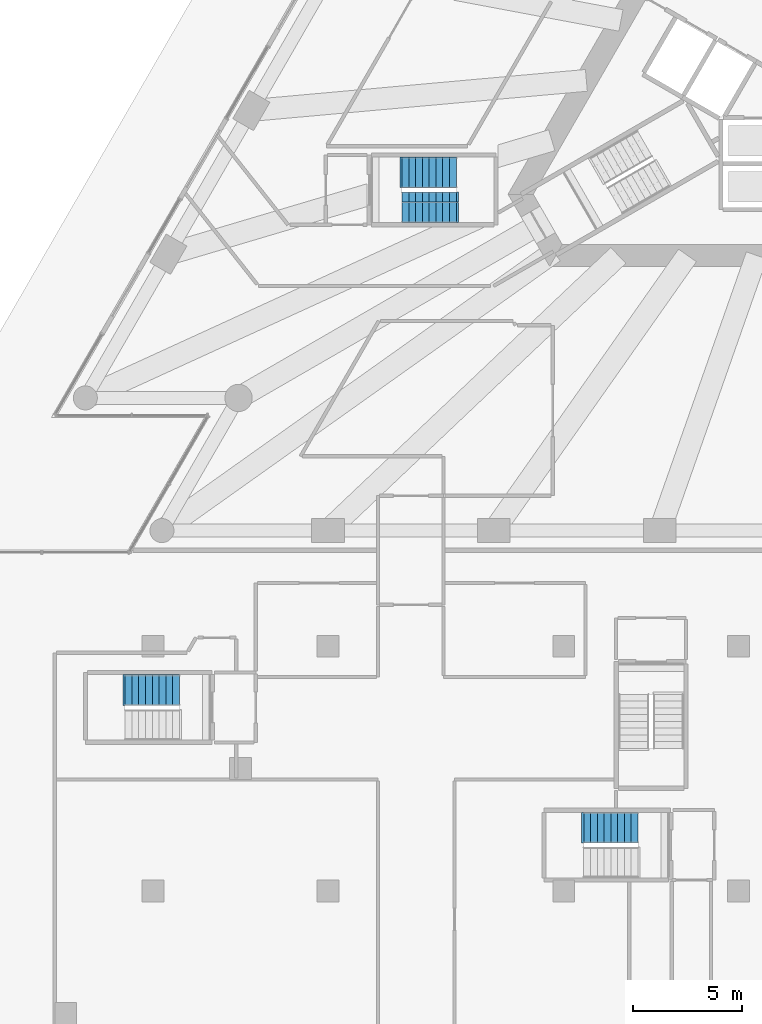
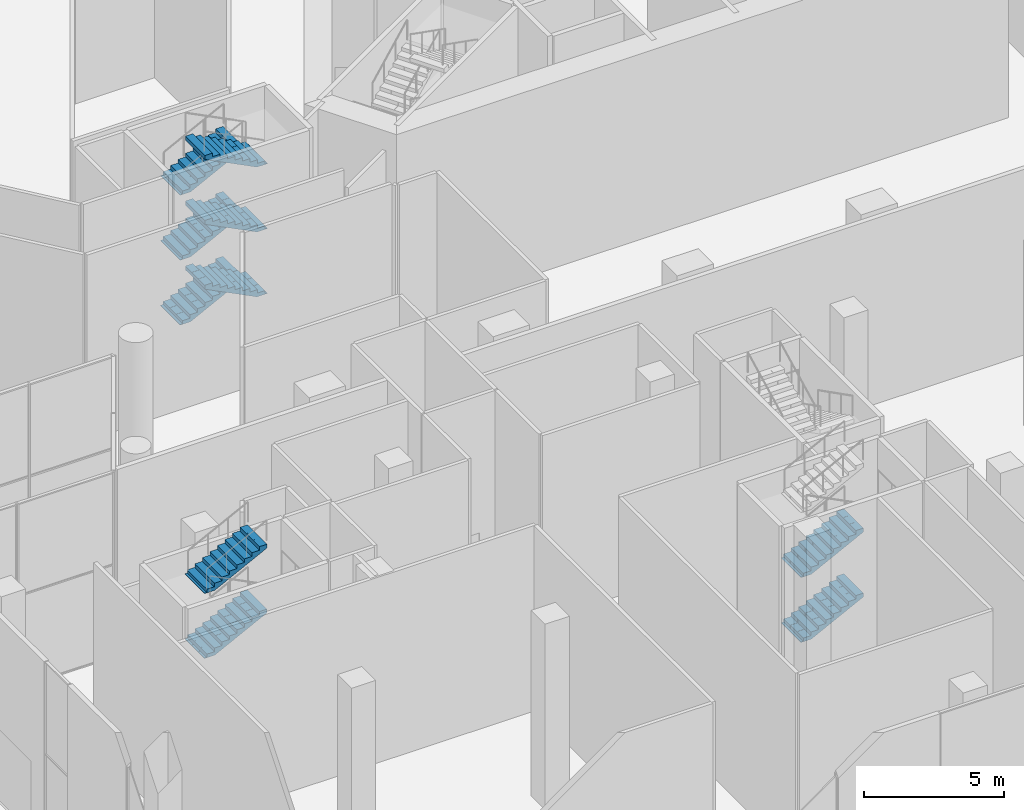
# One storey, part 29 of 41: 10 stair flights, 3 elements without a shape of their own.
"""IFC4 building model written with IfcOpenShell, lengths in metres."""

from ifc_helpers import new_model, si_unit, direction, frame, origin, place, context, subcontext, project, spatial, polyline, outline, extrude, material, type_object, element, aggregate, save


model = new_model("IFC4")

# Units and contexts
model_context = context("Model", 3, precision=1e-05, world=origin(), true_north=direction((0.0, 1.0)))
body_context = subcontext(model_context, "Body", "Model", "MODEL_VIEW")
ifc_project = project(units=[si_unit("LENGTHUNIT", "METRE"), si_unit("AREAUNIT", "SQUARE_METRE"), si_unit("VOLUMEUNIT", "CUBIC_METRE"), si_unit("PLANEANGLEUNIT", "RADIAN"), si_unit("MASSUNIT", "GRAM", prefix="KILO")], contexts=[model_context])

# Site, building, storey
site_placement = place(None, origin())
site = spatial("IfcSite", under=ifc_project, at=site_placement, CompositionType="ELEMENT")
building_placement = place(site_placement, origin())
building = spatial("IfcBuilding", under=site, at=building_placement, Name="Triada Interchange Tower", CompositionType="ELEMENT")
storey_placement = place(building_placement, origin())
storey = spatial("IfcBuildingStorey", under=building, at=storey_placement, Name="L00", CompositionType="ELEMENT", Elevation=0.0)

# Stair, stair flights
ifc_material = material(Name="Concrete C35/45", Category="concrete")
stair_type = type_object("IfcStairType", Name="HALF TURN STAIR 1400", PredefinedType="HALF_TURN_STAIR", material=ifc_material)
stair_1_placement = place(storey_placement, origin())
stair_1 = element("IfcStair", 1, at=stair_1_placement, inside=storey, type_object=stair_type, Name="Exit stair S00-4", PredefinedType="HALF_TURN_STAIR")
stair_flight_type = type_object("IfcStairFlightType", Name="STRAIGHT STAIR FLIGHT 1400", PredefinedType="STRAIGHT", material=ifc_material)
stair_flight_1_placement = place(storey_placement, frame((-11.080078125, -35.199951171875, 1.416748046875), z_axis=(0.0, 0.0, 1.0), x_axis=(1.0, 0.0, 0.0)))
stair_flight_1 = element("IfcStairFlight", 2, at=stair_flight_1_placement, type_object=stair_flight_type, Name="S00-4 flight 2", NumberOfRisers=9, NumberOfTreads=8, PredefinedType="STRAIGHT", RiserHeight=0.15741, TreadLength=0.31, context=body_context, shape_type="SweptSolid", body=[
    extrude(outline(polyline([(-0.10009765625, 0.0), (-0.10009765625, 0.02001953125), (0.0, 0.02001953125), (0.0, 0.157470703125), (0.31005859375, 0.157470703125), (0.31005859375, 0.31494140625), (0.6201171875, 0.31494140625), (0.6201171875, 0.47216796875), (0.929931640625, 0.47216796875), (0.929931640625, 0.629638671875), (1.239990234375, 0.629638671875), (1.239990234375, 0.787109375), (1.550048828125, 0.787109375), (1.550048828125, 0.944580078125), (1.860107421875, 0.944580078125), (1.860107421875, 1.101806640625), (2.169921875, 1.101806640625), (2.169921875, 1.25927734375), (2.47998046875, 1.25927734375), (2.48388671875, 1.25927734375), (2.48388671875, 1.416748046875), (2.48388671875, 1.091064453125), (0.3310546875, 0.0), (-0.10009765625, 0.0)])), frame((0.0, 0.699951171875, 0.0), z_axis=(0.0, -1.0, 0.0), x_axis=(1.0, 0.0, 0.0)), (0.0, 0.0, 1.0), 0.46533203125),
    extrude(outline(polyline([(-0.10009765625, 0.0), (-0.10009765625, 0.02001953125), (0.0, 0.02001953125), (0.0, 0.157470703125), (0.31005859375, 0.157470703125), (0.31005859375, 0.31494140625), (0.6201171875, 0.31494140625), (0.6201171875, 0.47216796875), (0.929931640625, 0.47216796875), (0.929931640625, 0.629638671875), (1.239990234375, 0.629638671875), (1.239990234375, 0.787109375), (1.550048828125, 0.787109375), (1.550048828125, 0.944580078125), (1.860107421875, 0.944580078125), (1.860107421875, 1.101806640625), (2.169921875, 1.101806640625), (2.169921875, 1.25927734375), (2.47998046875, 1.25927734375), (2.48388671875, 1.25927734375), (2.48388671875, 1.416748046875), (2.48388671875, 1.091064453125), (0.3310546875, 0.0), (-0.10009765625, 0.0)])), frame((0.0, 0.232666015625, 0.0), z_axis=(0.0, -1.0, 0.0), x_axis=(1.0, 0.0, 0.0)), (0.0, 0.0, 1.0), 0.46533203125),
    extrude(outline(polyline([(-0.10009765625, 0.0), (-0.10009765625, 0.02001953125), (0.0, 0.02001953125), (0.0, 0.157470703125), (0.31005859375, 0.157470703125), (0.31005859375, 0.31494140625), (0.6201171875, 0.31494140625), (0.6201171875, 0.47216796875), (0.929931640625, 0.47216796875), (0.929931640625, 0.629638671875), (1.239990234375, 0.629638671875), (1.239990234375, 0.787109375), (1.550048828125, 0.787109375), (1.550048828125, 0.944580078125), (1.860107421875, 0.944580078125), (1.860107421875, 1.101806640625), (2.169921875, 1.101806640625), (2.169921875, 1.25927734375), (2.47998046875, 1.25927734375), (2.48388671875, 1.25927734375), (2.48388671875, 1.416748046875), (2.48388671875, 1.091064453125), (0.3310546875, 0.0), (-0.10009765625, 0.0)])), frame((0.0, -0.234619140625, 0.0), z_axis=(0.0, -1.0, 0.0), x_axis=(1.0, 0.0, 0.0)), (0.0, 0.0, 1.0), 0.46533203125),
])
stair_flight_2_placement = place(storey_placement, frame((-11.080078125, -35.199951171875, 4.25), z_axis=(0.0, 0.0, 1.0), x_axis=(1.0, 0.0, 0.0)))
stair_flight_2 = element("IfcStairFlight", 3, at=stair_flight_2_placement, type_object=stair_flight_type, Name="S00-4 flight 4", NumberOfRisers=9, NumberOfTreads=8, PredefinedType="STRAIGHT", RiserHeight=0.15741, TreadLength=0.31, context=body_context, shape_type="SweptSolid", body=[
    extrude(outline(polyline([(-0.10009765625, 0.0), (-0.10009765625, 0.02001953125), (0.0, 0.02001953125), (0.0, 0.157470703125), (0.31005859375, 0.157470703125), (0.31005859375, 0.31494140625), (0.6201171875, 0.31494140625), (0.6201171875, 0.47216796875), (0.929931640625, 0.47216796875), (0.929931640625, 0.629638671875), (1.239990234375, 0.629638671875), (1.239990234375, 0.787109375), (1.550048828125, 0.787109375), (1.550048828125, 0.944580078125), (1.860107421875, 0.944580078125), (1.860107421875, 1.101806640625), (2.169921875, 1.101806640625), (2.169921875, 1.25927734375), (2.47998046875, 1.25927734375), (2.48388671875, 1.25927734375), (2.48388671875, 1.416748046875), (2.48388671875, 1.091064453125), (0.3310546875, 0.0), (-0.10009765625, 0.0)])), frame((0.0, 0.699951171875, 0.0), z_axis=(0.0, -1.0, 0.0), x_axis=(1.0, 0.0, 0.0)), (0.0, 0.0, 1.0), 0.46533203125),
    extrude(outline(polyline([(-0.10009765625, 0.0), (-0.10009765625, 0.02001953125), (0.0, 0.02001953125), (0.0, 0.157470703125), (0.31005859375, 0.157470703125), (0.31005859375, 0.31494140625), (0.6201171875, 0.31494140625), (0.6201171875, 0.47216796875), (0.929931640625, 0.47216796875), (0.929931640625, 0.629638671875), (1.239990234375, 0.629638671875), (1.239990234375, 0.787109375), (1.550048828125, 0.787109375), (1.550048828125, 0.944580078125), (1.860107421875, 0.944580078125), (1.860107421875, 1.101806640625), (2.169921875, 1.101806640625), (2.169921875, 1.25927734375), (2.47998046875, 1.25927734375), (2.48388671875, 1.25927734375), (2.48388671875, 1.416748046875), (2.48388671875, 1.091064453125), (0.3310546875, 0.0), (-0.10009765625, 0.0)])), frame((0.0, 0.232666015625, 0.0), z_axis=(0.0, -1.0, 0.0), x_axis=(1.0, 0.0, 0.0)), (0.0, 0.0, 1.0), 0.46533203125),
    extrude(outline(polyline([(-0.10009765625, 0.0), (-0.10009765625, 0.02001953125), (0.0, 0.02001953125), (0.0, 0.157470703125), (0.31005859375, 0.157470703125), (0.31005859375, 0.31494140625), (0.6201171875, 0.31494140625), (0.6201171875, 0.47216796875), (0.929931640625, 0.47216796875), (0.929931640625, 0.629638671875), (1.239990234375, 0.629638671875), (1.239990234375, 0.787109375), (1.550048828125, 0.787109375), (1.550048828125, 0.944580078125), (1.860107421875, 0.944580078125), (1.860107421875, 1.101806640625), (2.169921875, 1.101806640625), (2.169921875, 1.25927734375), (2.47998046875, 1.25927734375), (2.48388671875, 1.25927734375), (2.48388671875, 1.416748046875), (2.48388671875, 1.091064453125), (0.3310546875, 0.0), (-0.10009765625, 0.0)])), frame((0.0, -0.234619140625, 0.0), z_axis=(0.0, -1.0, 0.0), x_axis=(1.0, 0.0, 0.0)), (0.0, 0.0, 1.0), 0.46533203125),
])
aggregate(stair_1, [stair_flight_1, stair_flight_2])

stair_2_placement = place(storey_placement, origin())
stair_2 = element("IfcStair", 4, at=stair_2_placement, inside=storey, type_object=stair_type, Name="Exit stair S00-6", PredefinedType="HALF_TURN_STAIR")
stair_flight_3_placement = place(storey_placement, frame((-19.39990234375, -5.199951171875, 0.0), z_axis=(0.0, 0.0, 1.0), x_axis=(1.0, 0.0, 0.0)))
stair_flight_3 = element("IfcStairFlight", 5, at=stair_flight_3_placement, type_object=stair_flight_type, Name="S00-6 flight 1", NumberOfRisers=9, NumberOfTreads=8, PredefinedType="STRAIGHT", RiserHeight=0.15741, TreadLength=0.31, context=body_context, shape_type="SweptSolid", body=[
    extrude(outline(polyline([(-0.10009765625, 0.0), (-0.10009765625, 0.02001953125), (0.0, 0.02001953125), (0.0, 0.157470703125), (0.31005859375, 0.157470703125), (0.31005859375, 0.31494140625), (0.6201171875, 0.31494140625), (0.6201171875, 0.47216796875), (0.929931640625, 0.47216796875), (0.929931640625, 0.629638671875), (1.239990234375, 0.629638671875), (1.239990234375, 0.787109375), (1.550048828125, 0.787109375), (1.550048828125, 0.944580078125), (1.860107421875, 0.944580078125), (1.860107421875, 1.101806640625), (2.169921875, 1.101806640625), (2.169921875, 1.25927734375), (2.47998046875, 1.25927734375), (2.48388671875, 1.25927734375), (2.48388671875, 1.416748046875), (2.48388671875, 1.091064453125), (0.3310546875, 0.0), (-0.10009765625, 0.0)])), frame((0.0, 0.699951171875, 0.0), z_axis=(0.0, -1.0, 0.0), x_axis=(1.0, 0.0, 0.0)), (0.0, 0.0, 1.0), 0.46533203125),
    extrude(outline(polyline([(-0.10009765625, 0.0), (-0.10009765625, 0.02001953125), (0.0, 0.02001953125), (0.0, 0.157470703125), (0.31005859375, 0.157470703125), (0.31005859375, 0.31494140625), (0.6201171875, 0.31494140625), (0.6201171875, 0.47216796875), (0.929931640625, 0.47216796875), (0.929931640625, 0.629638671875), (1.239990234375, 0.629638671875), (1.239990234375, 0.787109375), (1.550048828125, 0.787109375), (1.550048828125, 0.944580078125), (1.860107421875, 0.944580078125), (1.860107421875, 1.101806640625), (2.169921875, 1.101806640625), (2.169921875, 1.25927734375), (2.47998046875, 1.25927734375), (2.48388671875, 1.25927734375), (2.48388671875, 1.416748046875), (2.48388671875, 1.091064453125), (0.3310546875, 0.0), (-0.10009765625, 0.0)])), frame((0.0, 0.232666015625, 0.0), z_axis=(0.0, -1.0, 0.0), x_axis=(1.0, 0.0, 0.0)), (0.0, 0.0, 1.0), 0.46533203125),
    extrude(outline(polyline([(-0.10009765625, 0.0), (-0.10009765625, 0.02001953125), (0.0, 0.02001953125), (0.0, 0.157470703125), (0.31005859375, 0.157470703125), (0.31005859375, 0.31494140625), (0.6201171875, 0.31494140625), (0.6201171875, 0.47216796875), (0.929931640625, 0.47216796875), (0.929931640625, 0.629638671875), (1.239990234375, 0.629638671875), (1.239990234375, 0.787109375), (1.550048828125, 0.787109375), (1.550048828125, 0.944580078125), (1.860107421875, 0.944580078125), (1.860107421875, 1.101806640625), (2.169921875, 1.101806640625), (2.169921875, 1.25927734375), (2.47998046875, 1.25927734375), (2.48388671875, 1.25927734375), (2.48388671875, 1.416748046875), (2.48388671875, 1.091064453125), (0.3310546875, 0.0), (-0.10009765625, 0.0)])), frame((0.0, -0.234619140625, 0.0), z_axis=(0.0, -1.0, 0.0), x_axis=(1.0, 0.0, 0.0)), (0.0, 0.0, 1.0), 0.46533203125),
])
stair_flight_4_placement = place(storey_placement, frame((-16.919921875, -6.800048828125, 1.416748046875), z_axis=(0.0, 0.0, 1.0), x_axis=(-1.0, 0.0, 0.0)))
stair_flight_4 = element("IfcStairFlight", 6, at=stair_flight_4_placement, type_object=stair_flight_type, Name="S00-6 flight 2", NumberOfRisers=9, NumberOfTreads=8, PredefinedType="STRAIGHT", RiserHeight=0.15741, TreadLength=0.31, context=body_context, shape_type="SweptSolid", body=[
    extrude(outline(polyline([(-0.10009765625, 0.0), (-0.10009765625, 0.02001953125), (0.0, 0.02001953125), (0.0, 0.157470703125), (0.31005859375, 0.157470703125), (0.31005859375, 0.31494140625), (0.6201171875, 0.31494140625), (0.6201171875, 0.47216796875), (0.929931640625, 0.47216796875), (0.929931640625, 0.629638671875), (1.239990234375, 0.629638671875), (1.239990234375, 0.787109375), (1.550048828125, 0.787109375), (1.550048828125, 0.944580078125), (1.860107421875, 0.944580078125), (1.860107421875, 1.101806640625), (2.169921875, 1.101806640625), (2.169921875, 1.25927734375), (2.47998046875, 1.25927734375), (2.48388671875, 1.25927734375), (2.48388671875, 1.416748046875), (2.48388671875, 1.091064453125), (0.3310546875, 0.0), (-0.10009765625, 0.0)])), frame((0.0, 0.699951171875, 0.0), z_axis=(0.0, -1.0, 0.0), x_axis=(1.0, 0.0, 0.0)), (0.0, 0.0, 1.0), 0.46533203125),
    extrude(outline(polyline([(-0.10009765625, 0.0), (-0.10009765625, 0.02001953125), (0.0, 0.02001953125), (0.0, 0.157470703125), (0.31005859375, 0.157470703125), (0.31005859375, 0.31494140625), (0.6201171875, 0.31494140625), (0.6201171875, 0.47216796875), (0.929931640625, 0.47216796875), (0.929931640625, 0.629638671875), (1.239990234375, 0.629638671875), (1.239990234375, 0.787109375), (1.550048828125, 0.787109375), (1.550048828125, 0.944580078125), (1.860107421875, 0.944580078125), (1.860107421875, 1.101806640625), (2.169921875, 1.101806640625), (2.169921875, 1.25927734375), (2.47998046875, 1.25927734375), (2.48388671875, 1.25927734375), (2.48388671875, 1.416748046875), (2.48388671875, 1.091064453125), (0.3310546875, 0.0), (-0.10009765625, 0.0)])), frame((0.0, 0.232666015625, 0.0), z_axis=(0.0, -1.0, 0.0), x_axis=(1.0, 0.0, 0.0)), (0.0, 0.0, 1.0), 0.46533203125),
    extrude(outline(polyline([(-0.10009765625, 0.0), (-0.10009765625, 0.02001953125), (0.0, 0.02001953125), (0.0, 0.157470703125), (0.31005859375, 0.157470703125), (0.31005859375, 0.31494140625), (0.6201171875, 0.31494140625), (0.6201171875, 0.47216796875), (0.929931640625, 0.47216796875), (0.929931640625, 0.629638671875), (1.239990234375, 0.629638671875), (1.239990234375, 0.787109375), (1.550048828125, 0.787109375), (1.550048828125, 0.944580078125), (1.860107421875, 0.944580078125), (1.860107421875, 1.101806640625), (2.169921875, 1.101806640625), (2.169921875, 1.25927734375), (2.47998046875, 1.25927734375), (2.48388671875, 1.25927734375), (2.48388671875, 1.416748046875), (2.48388671875, 1.091064453125), (0.3310546875, 0.0), (-0.10009765625, 0.0)])), frame((0.0, -0.234619140625, 0.0), z_axis=(0.0, -1.0, 0.0), x_axis=(1.0, 0.0, 0.0)), (0.0, 0.0, 1.0), 0.46533203125),
])
stair_flight_5_placement = place(storey_placement, frame((-19.39990234375, -5.199951171875, 2.83349609375), z_axis=(0.0, 0.0, 1.0), x_axis=(1.0, 0.0, 0.0)))
stair_flight_5 = element("IfcStairFlight", 7, at=stair_flight_5_placement, type_object=stair_flight_type, Name="S00-6 flight 3", NumberOfRisers=9, NumberOfTreads=8, PredefinedType="STRAIGHT", RiserHeight=0.15741, TreadLength=0.31, context=body_context, shape_type="SweptSolid", body=[
    extrude(outline(polyline([(-0.10009765625, 0.0), (-0.10009765625, 0.02001953125), (0.0, 0.02001953125), (0.0, 0.157470703125), (0.31005859375, 0.157470703125), (0.31005859375, 0.31494140625), (0.6201171875, 0.31494140625), (0.6201171875, 0.47216796875), (0.929931640625, 0.47216796875), (0.929931640625, 0.629638671875), (1.239990234375, 0.629638671875), (1.239990234375, 0.787109375), (1.550048828125, 0.787109375), (1.550048828125, 0.944580078125), (1.860107421875, 0.944580078125), (1.860107421875, 1.101806640625), (2.169921875, 1.101806640625), (2.169921875, 1.25927734375), (2.47998046875, 1.25927734375), (2.48388671875, 1.25927734375), (2.48388671875, 1.416748046875), (2.48388671875, 1.091064453125), (0.3310546875, 0.0), (-0.10009765625, 0.0)])), frame((0.0, 0.699951171875, 0.0), z_axis=(0.0, -1.0, 0.0), x_axis=(1.0, 0.0, 0.0)), (0.0, 0.0, 1.0), 0.46533203125),
    extrude(outline(polyline([(-0.10009765625, 0.0), (-0.10009765625, 0.02001953125), (0.0, 0.02001953125), (0.0, 0.157470703125), (0.31005859375, 0.157470703125), (0.31005859375, 0.31494140625), (0.6201171875, 0.31494140625), (0.6201171875, 0.47216796875), (0.929931640625, 0.47216796875), (0.929931640625, 0.629638671875), (1.239990234375, 0.629638671875), (1.239990234375, 0.787109375), (1.550048828125, 0.787109375), (1.550048828125, 0.944580078125), (1.860107421875, 0.944580078125), (1.860107421875, 1.101806640625), (2.169921875, 1.101806640625), (2.169921875, 1.25927734375), (2.47998046875, 1.25927734375), (2.48388671875, 1.25927734375), (2.48388671875, 1.416748046875), (2.48388671875, 1.091064453125), (0.3310546875, 0.0), (-0.10009765625, 0.0)])), frame((0.0, 0.232666015625, 0.0), z_axis=(0.0, -1.0, 0.0), x_axis=(1.0, 0.0, 0.0)), (0.0, 0.0, 1.0), 0.46533203125),
    extrude(outline(polyline([(-0.10009765625, 0.0), (-0.10009765625, 0.02001953125), (0.0, 0.02001953125), (0.0, 0.157470703125), (0.31005859375, 0.157470703125), (0.31005859375, 0.31494140625), (0.6201171875, 0.31494140625), (0.6201171875, 0.47216796875), (0.929931640625, 0.47216796875), (0.929931640625, 0.629638671875), (1.239990234375, 0.629638671875), (1.239990234375, 0.787109375), (1.550048828125, 0.787109375), (1.550048828125, 0.944580078125), (1.860107421875, 0.944580078125), (1.860107421875, 1.101806640625), (2.169921875, 1.101806640625), (2.169921875, 1.25927734375), (2.47998046875, 1.25927734375), (2.48388671875, 1.25927734375), (2.48388671875, 1.416748046875), (2.48388671875, 1.091064453125), (0.3310546875, 0.0), (-0.10009765625, 0.0)])), frame((0.0, -0.234619140625, 0.0), z_axis=(0.0, -1.0, 0.0), x_axis=(1.0, 0.0, 0.0)), (0.0, 0.0, 1.0), 0.46533203125),
])
stair_flight_6_placement = place(storey_placement, frame((-16.919921875, -6.800048828125, 4.25), z_axis=(0.0, 0.0, 1.0), x_axis=(-1.0, 0.0, 0.0)))
stair_flight_6 = element("IfcStairFlight", 8, at=stair_flight_6_placement, type_object=stair_flight_type, Name="S00-6 flight 4", NumberOfRisers=9, NumberOfTreads=8, PredefinedType="STRAIGHT", RiserHeight=0.15741, TreadLength=0.31, context=body_context, shape_type="SweptSolid", body=[
    extrude(outline(polyline([(-0.10009765625, 0.0), (-0.10009765625, 0.02001953125), (0.0, 0.02001953125), (0.0, 0.157470703125), (0.31005859375, 0.157470703125), (0.31005859375, 0.31494140625), (0.6201171875, 0.31494140625), (0.6201171875, 0.47216796875), (0.929931640625, 0.47216796875), (0.929931640625, 0.629638671875), (1.239990234375, 0.629638671875), (1.239990234375, 0.787109375), (1.550048828125, 0.787109375), (1.550048828125, 0.944580078125), (1.860107421875, 0.944580078125), (1.860107421875, 1.101806640625), (2.169921875, 1.101806640625), (2.169921875, 1.25927734375), (2.47998046875, 1.25927734375), (2.48388671875, 1.25927734375), (2.48388671875, 1.416748046875), (2.48388671875, 1.091064453125), (0.3310546875, 0.0), (-0.10009765625, 0.0)])), frame((0.0, 0.699951171875, 0.0), z_axis=(0.0, -1.0, 0.0), x_axis=(1.0, 0.0, 0.0)), (0.0, 0.0, 1.0), 0.46533203125),
    extrude(outline(polyline([(-0.10009765625, 0.0), (-0.10009765625, 0.02001953125), (0.0, 0.02001953125), (0.0, 0.157470703125), (0.31005859375, 0.157470703125), (0.31005859375, 0.31494140625), (0.6201171875, 0.31494140625), (0.6201171875, 0.47216796875), (0.929931640625, 0.47216796875), (0.929931640625, 0.629638671875), (1.239990234375, 0.629638671875), (1.239990234375, 0.787109375), (1.550048828125, 0.787109375), (1.550048828125, 0.944580078125), (1.860107421875, 0.944580078125), (1.860107421875, 1.101806640625), (2.169921875, 1.101806640625), (2.169921875, 1.25927734375), (2.47998046875, 1.25927734375), (2.48388671875, 1.25927734375), (2.48388671875, 1.416748046875), (2.48388671875, 1.091064453125), (0.3310546875, 0.0), (-0.10009765625, 0.0)])), frame((0.0, 0.232666015625, 0.0), z_axis=(0.0, -1.0, 0.0), x_axis=(1.0, 0.0, 0.0)), (0.0, 0.0, 1.0), 0.46533203125),
    extrude(outline(polyline([(-0.10009765625, 0.0), (-0.10009765625, 0.02001953125), (0.0, 0.02001953125), (0.0, 0.157470703125), (0.31005859375, 0.157470703125), (0.31005859375, 0.31494140625), (0.6201171875, 0.31494140625), (0.6201171875, 0.47216796875), (0.929931640625, 0.47216796875), (0.929931640625, 0.629638671875), (1.239990234375, 0.629638671875), (1.239990234375, 0.787109375), (1.550048828125, 0.787109375), (1.550048828125, 0.944580078125), (1.860107421875, 0.944580078125), (1.860107421875, 1.101806640625), (2.169921875, 1.101806640625), (2.169921875, 1.25927734375), (2.47998046875, 1.25927734375), (2.48388671875, 1.25927734375), (2.48388671875, 1.416748046875), (2.48388671875, 1.091064453125), (0.3310546875, 0.0), (-0.10009765625, 0.0)])), frame((0.0, -0.234619140625, 0.0), z_axis=(0.0, -1.0, 0.0), x_axis=(1.0, 0.0, 0.0)), (0.0, 0.0, 1.0), 0.46533203125),
])
stair_flight_7_placement = place(storey_placement, frame((-19.39990234375, -5.199951171875, 5.666748046875), z_axis=(0.0, 0.0, 1.0), x_axis=(1.0, 0.0, 0.0)))
stair_flight_7 = element("IfcStairFlight", 9, at=stair_flight_7_placement, type_object=stair_flight_type, Name="S00-6 flight 5", NumberOfRisers=9, NumberOfTreads=8, PredefinedType="STRAIGHT", RiserHeight=0.15741, TreadLength=0.31, context=body_context, shape_type="SweptSolid", body=[
    extrude(outline(polyline([(-0.10009765625, 0.0), (-0.10009765625, 0.02001953125), (0.0, 0.02001953125), (0.0, 0.157470703125), (0.31005859375, 0.157470703125), (0.31005859375, 0.31494140625), (0.6201171875, 0.31494140625), (0.6201171875, 0.47216796875), (0.929931640625, 0.47216796875), (0.929931640625, 0.629638671875), (1.239990234375, 0.629638671875), (1.239990234375, 0.787109375), (1.550048828125, 0.787109375), (1.550048828125, 0.944580078125), (1.860107421875, 0.944580078125), (1.860107421875, 1.101806640625), (2.169921875, 1.101806640625), (2.169921875, 1.25927734375), (2.47998046875, 1.25927734375), (2.48388671875, 1.25927734375), (2.48388671875, 1.416748046875), (2.48388671875, 1.091064453125), (0.3310546875, 0.0), (-0.10009765625, 0.0)])), frame((0.0, 0.699951171875, 0.0), z_axis=(0.0, -1.0, 0.0), x_axis=(1.0, 0.0, 0.0)), (0.0, 0.0, 1.0), 0.46533203125),
    extrude(outline(polyline([(-0.10009765625, 0.0), (-0.10009765625, 0.02001953125), (0.0, 0.02001953125), (0.0, 0.157470703125), (0.31005859375, 0.157470703125), (0.31005859375, 0.31494140625), (0.6201171875, 0.31494140625), (0.6201171875, 0.47216796875), (0.929931640625, 0.47216796875), (0.929931640625, 0.629638671875), (1.239990234375, 0.629638671875), (1.239990234375, 0.787109375), (1.550048828125, 0.787109375), (1.550048828125, 0.944580078125), (1.860107421875, 0.944580078125), (1.860107421875, 1.101806640625), (2.169921875, 1.101806640625), (2.169921875, 1.25927734375), (2.47998046875, 1.25927734375), (2.48388671875, 1.25927734375), (2.48388671875, 1.416748046875), (2.48388671875, 1.091064453125), (0.3310546875, 0.0), (-0.10009765625, 0.0)])), frame((0.0, 0.232666015625, 0.0), z_axis=(0.0, -1.0, 0.0), x_axis=(1.0, 0.0, 0.0)), (0.0, 0.0, 1.0), 0.46533203125),
    extrude(outline(polyline([(-0.10009765625, 0.0), (-0.10009765625, 0.02001953125), (0.0, 0.02001953125), (0.0, 0.157470703125), (0.31005859375, 0.157470703125), (0.31005859375, 0.31494140625), (0.6201171875, 0.31494140625), (0.6201171875, 0.47216796875), (0.929931640625, 0.47216796875), (0.929931640625, 0.629638671875), (1.239990234375, 0.629638671875), (1.239990234375, 0.787109375), (1.550048828125, 0.787109375), (1.550048828125, 0.944580078125), (1.860107421875, 0.944580078125), (1.860107421875, 1.101806640625), (2.169921875, 1.101806640625), (2.169921875, 1.25927734375), (2.47998046875, 1.25927734375), (2.48388671875, 1.25927734375), (2.48388671875, 1.416748046875), (2.48388671875, 1.091064453125), (0.3310546875, 0.0), (-0.10009765625, 0.0)])), frame((0.0, -0.234619140625, 0.0), z_axis=(0.0, -1.0, 0.0), x_axis=(1.0, 0.0, 0.0)), (0.0, 0.0, 1.0), 0.46533203125),
])
stair_flight_8_placement = place(storey_placement, frame((-16.919921875, -6.800048828125, 7.08349609375), z_axis=(0.0, 0.0, 1.0), x_axis=(-1.0, 0.0, 0.0)))
stair_flight_8 = element("IfcStairFlight", 10, at=stair_flight_8_placement, type_object=stair_flight_type, Name="S00-6 flight 6", NumberOfRisers=9, NumberOfTreads=8, PredefinedType="STRAIGHT", RiserHeight=0.15741, TreadLength=0.31, context=body_context, shape_type="SweptSolid", body=[
    extrude(outline(polyline([(-0.10009765625, 0.0), (-0.10009765625, 0.02001953125), (0.0, 0.02001953125), (0.0, 0.157470703125), (0.31005859375, 0.157470703125), (0.31005859375, 0.31494140625), (0.6201171875, 0.31494140625), (0.6201171875, 0.47216796875), (0.929931640625, 0.47216796875), (0.929931640625, 0.629638671875), (1.239990234375, 0.629638671875), (1.239990234375, 0.787109375), (1.550048828125, 0.787109375), (1.550048828125, 0.944580078125), (1.860107421875, 0.944580078125), (1.860107421875, 1.101806640625), (2.169921875, 1.101806640625), (2.169921875, 1.25927734375), (2.47998046875, 1.25927734375), (2.48388671875, 1.25927734375), (2.48388671875, 1.416748046875), (2.48388671875, 1.091064453125), (0.3310546875, 0.0), (-0.10009765625, 0.0)])), frame((0.0, 0.699951171875, 0.0), z_axis=(0.0, -1.0, 0.0), x_axis=(1.0, 0.0, 0.0)), (0.0, 0.0, 1.0), 0.46533203125),
    extrude(outline(polyline([(-0.10009765625, 0.0), (-0.10009765625, 0.02001953125), (0.0, 0.02001953125), (0.0, 0.157470703125), (0.31005859375, 0.157470703125), (0.31005859375, 0.31494140625), (0.6201171875, 0.31494140625), (0.6201171875, 0.47216796875), (0.929931640625, 0.47216796875), (0.929931640625, 0.629638671875), (1.239990234375, 0.629638671875), (1.239990234375, 0.787109375), (1.550048828125, 0.787109375), (1.550048828125, 0.944580078125), (1.860107421875, 0.944580078125), (1.860107421875, 1.101806640625), (2.169921875, 1.101806640625), (2.169921875, 1.25927734375), (2.47998046875, 1.25927734375), (2.48388671875, 1.25927734375), (2.48388671875, 1.416748046875), (2.48388671875, 1.091064453125), (0.3310546875, 0.0), (-0.10009765625, 0.0)])), frame((0.0, 0.232666015625, 0.0), z_axis=(0.0, -1.0, 0.0), x_axis=(1.0, 0.0, 0.0)), (0.0, 0.0, 1.0), 0.46533203125),
    extrude(outline(polyline([(-0.10009765625, 0.0), (-0.10009765625, 0.02001953125), (0.0, 0.02001953125), (0.0, 0.157470703125), (0.31005859375, 0.157470703125), (0.31005859375, 0.31494140625), (0.6201171875, 0.31494140625), (0.6201171875, 0.47216796875), (0.929931640625, 0.47216796875), (0.929931640625, 0.629638671875), (1.239990234375, 0.629638671875), (1.239990234375, 0.787109375), (1.550048828125, 0.787109375), (1.550048828125, 0.944580078125), (1.860107421875, 0.944580078125), (1.860107421875, 1.101806640625), (2.169921875, 1.101806640625), (2.169921875, 1.25927734375), (2.47998046875, 1.25927734375), (2.48388671875, 1.25927734375), (2.48388671875, 1.416748046875), (2.48388671875, 1.091064453125), (0.3310546875, 0.0), (-0.10009765625, 0.0)])), frame((0.0, -0.234619140625, 0.0), z_axis=(0.0, -1.0, 0.0), x_axis=(1.0, 0.0, 0.0)), (0.0, 0.0, 1.0), 0.46533203125),
])
aggregate(stair_2, [stair_flight_3, stair_flight_4, stair_flight_5, stair_flight_6, stair_flight_7, stair_flight_8])

stair_3_placement = place(storey_placement, origin())
stair_3 = element("IfcStair", 11, at=stair_3_placement, inside=storey, type_object=stair_type, Name="Exit stair S00-8", PredefinedType="HALF_TURN_STAIR")
stair_flight_9_placement = place(storey_placement, frame((-32.080078125, -28.89990234375, 4.25), z_axis=(0.0, 0.0, 1.0), x_axis=(1.0, 0.0, 0.0)))
stair_flight_9 = element("IfcStairFlight", 12, at=stair_flight_9_placement, type_object=stair_flight_type, Name="S00-8 flight 4", NumberOfRisers=9, NumberOfTreads=8, PredefinedType="STRAIGHT", RiserHeight=0.15741, TreadLength=0.31, context=body_context, shape_type="SweptSolid", body=[
    extrude(outline(polyline([(-0.10009765625, 0.0), (-0.10009765625, 0.02001953125), (0.0, 0.02001953125), (0.0, 0.157470703125), (0.31005859375, 0.157470703125), (0.31005859375, 0.31494140625), (0.6201171875, 0.31494140625), (0.6201171875, 0.47216796875), (0.929931640625, 0.47216796875), (0.929931640625, 0.629638671875), (1.239990234375, 0.629638671875), (1.239990234375, 0.787109375), (1.550048828125, 0.787109375), (1.550048828125, 0.944580078125), (1.860107421875, 0.944580078125), (1.860107421875, 1.101806640625), (2.169921875, 1.101806640625), (2.169921875, 1.25927734375), (2.47998046875, 1.25927734375), (2.48388671875, 1.25927734375), (2.48388671875, 1.416748046875), (2.48388671875, 1.091064453125), (0.3310546875, 0.0), (-0.10009765625, 0.0)])), frame((0.0, 0.699951171875, 0.0), z_axis=(0.0, -1.0, 0.0), x_axis=(1.0, 0.0, 0.0)), (0.0, 0.0, 1.0), 0.46533203125),
    extrude(outline(polyline([(-0.10009765625, 0.0), (-0.10009765625, 0.02001953125), (0.0, 0.02001953125), (0.0, 0.157470703125), (0.31005859375, 0.157470703125), (0.31005859375, 0.31494140625), (0.6201171875, 0.31494140625), (0.6201171875, 0.47216796875), (0.929931640625, 0.47216796875), (0.929931640625, 0.629638671875), (1.239990234375, 0.629638671875), (1.239990234375, 0.787109375), (1.550048828125, 0.787109375), (1.550048828125, 0.944580078125), (1.860107421875, 0.944580078125), (1.860107421875, 1.101806640625), (2.169921875, 1.101806640625), (2.169921875, 1.25927734375), (2.47998046875, 1.25927734375), (2.48388671875, 1.25927734375), (2.48388671875, 1.416748046875), (2.48388671875, 1.091064453125), (0.3310546875, 0.0), (-0.10009765625, 0.0)])), frame((0.0, 0.232666015625, 0.0), z_axis=(0.0, -1.0, 0.0), x_axis=(1.0, 0.0, 0.0)), (0.0, 0.0, 1.0), 0.46533203125),
    extrude(outline(polyline([(-0.10009765625, 0.0), (-0.10009765625, 0.02001953125), (0.0, 0.02001953125), (0.0, 0.157470703125), (0.31005859375, 0.157470703125), (0.31005859375, 0.31494140625), (0.6201171875, 0.31494140625), (0.6201171875, 0.47216796875), (0.929931640625, 0.47216796875), (0.929931640625, 0.629638671875), (1.239990234375, 0.629638671875), (1.239990234375, 0.787109375), (1.550048828125, 0.787109375), (1.550048828125, 0.944580078125), (1.860107421875, 0.944580078125), (1.860107421875, 1.101806640625), (2.169921875, 1.101806640625), (2.169921875, 1.25927734375), (2.47998046875, 1.25927734375), (2.48388671875, 1.25927734375), (2.48388671875, 1.416748046875), (2.48388671875, 1.091064453125), (0.3310546875, 0.0), (-0.10009765625, 0.0)])), frame((0.0, -0.234619140625, 0.0), z_axis=(0.0, -1.0, 0.0), x_axis=(1.0, 0.0, 0.0)), (0.0, 0.0, 1.0), 0.46533203125),
])
stair_flight_10_placement = place(storey_placement, frame((-32.080078125, -28.89990234375, 7.08349609375), z_axis=(0.0, 0.0, 1.0), x_axis=(1.0, 0.0, 0.0)))
stair_flight_10 = element("IfcStairFlight", 13, at=stair_flight_10_placement, type_object=stair_flight_type, Name="S00-8 flight 6", NumberOfRisers=9, NumberOfTreads=8, PredefinedType="STRAIGHT", RiserHeight=0.15741, TreadLength=0.31, context=body_context, shape_type="SweptSolid", body=[
    extrude(outline(polyline([(-0.10009765625, 0.0), (-0.10009765625, 0.02001953125), (0.0, 0.02001953125), (0.0, 0.157470703125), (0.31005859375, 0.157470703125), (0.31005859375, 0.31494140625), (0.6201171875, 0.31494140625), (0.6201171875, 0.47216796875), (0.929931640625, 0.47216796875), (0.929931640625, 0.629638671875), (1.239990234375, 0.629638671875), (1.239990234375, 0.787109375), (1.550048828125, 0.787109375), (1.550048828125, 0.944580078125), (1.860107421875, 0.944580078125), (1.860107421875, 1.101806640625), (2.169921875, 1.101806640625), (2.169921875, 1.25927734375), (2.47998046875, 1.25927734375), (2.48388671875, 1.25927734375), (2.48388671875, 1.416748046875), (2.48388671875, 1.091064453125), (0.3310546875, 0.0), (-0.10009765625, 0.0)])), frame((0.0, 0.699951171875, 0.0), z_axis=(0.0, -1.0, 0.0), x_axis=(1.0, 0.0, 0.0)), (0.0, 0.0, 1.0), 0.46533203125),
    extrude(outline(polyline([(-0.10009765625, 0.0), (-0.10009765625, 0.02001953125), (0.0, 0.02001953125), (0.0, 0.157470703125), (0.31005859375, 0.157470703125), (0.31005859375, 0.31494140625), (0.6201171875, 0.31494140625), (0.6201171875, 0.47216796875), (0.929931640625, 0.47216796875), (0.929931640625, 0.629638671875), (1.239990234375, 0.629638671875), (1.239990234375, 0.787109375), (1.550048828125, 0.787109375), (1.550048828125, 0.944580078125), (1.860107421875, 0.944580078125), (1.860107421875, 1.101806640625), (2.169921875, 1.101806640625), (2.169921875, 1.25927734375), (2.47998046875, 1.25927734375), (2.48388671875, 1.25927734375), (2.48388671875, 1.416748046875), (2.48388671875, 1.091064453125), (0.3310546875, 0.0), (-0.10009765625, 0.0)])), frame((0.0, 0.232666015625, 0.0), z_axis=(0.0, -1.0, 0.0), x_axis=(1.0, 0.0, 0.0)), (0.0, 0.0, 1.0), 0.46533203125),
    extrude(outline(polyline([(-0.10009765625, 0.0), (-0.10009765625, 0.02001953125), (0.0, 0.02001953125), (0.0, 0.157470703125), (0.31005859375, 0.157470703125), (0.31005859375, 0.31494140625), (0.6201171875, 0.31494140625), (0.6201171875, 0.47216796875), (0.929931640625, 0.47216796875), (0.929931640625, 0.629638671875), (1.239990234375, 0.629638671875), (1.239990234375, 0.787109375), (1.550048828125, 0.787109375), (1.550048828125, 0.944580078125), (1.860107421875, 0.944580078125), (1.860107421875, 1.101806640625), (2.169921875, 1.101806640625), (2.169921875, 1.25927734375), (2.47998046875, 1.25927734375), (2.48388671875, 1.25927734375), (2.48388671875, 1.416748046875), (2.48388671875, 1.091064453125), (0.3310546875, 0.0), (-0.10009765625, 0.0)])), frame((0.0, -0.234619140625, 0.0), z_axis=(0.0, -1.0, 0.0), x_axis=(1.0, 0.0, 0.0)), (0.0, 0.0, 1.0), 0.46533203125),
])
aggregate(stair_3, [stair_flight_9, stair_flight_10])

save(model, "model.ifc")
